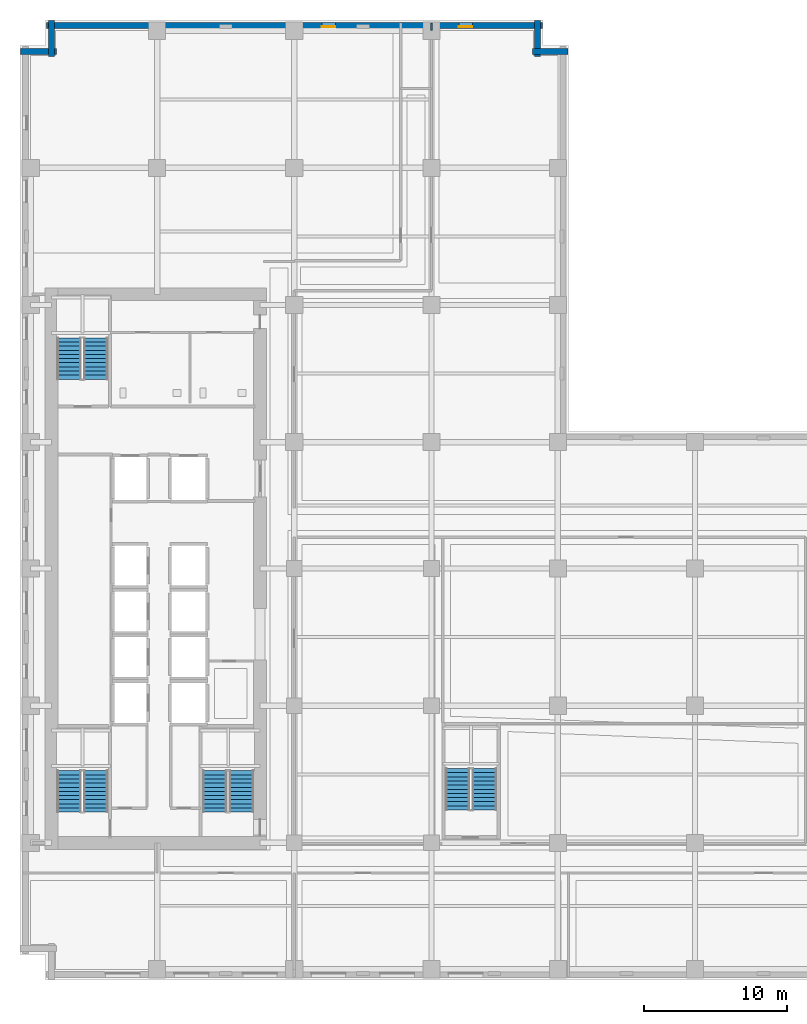
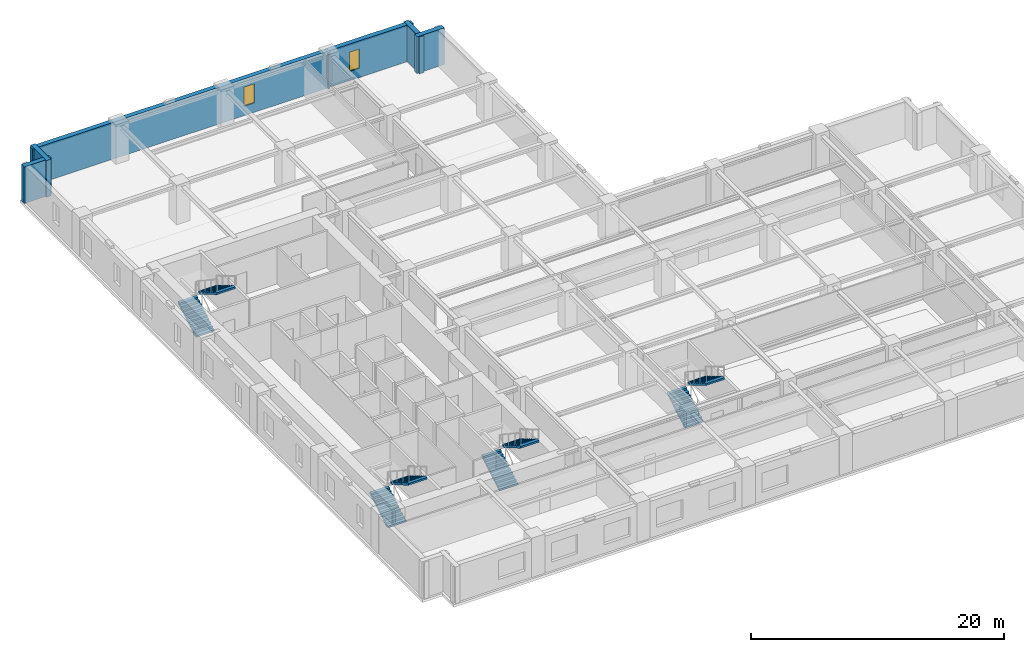
# One storey, part 8 of 13: 8 stair flights, 6 walls, 2 windows, 2 openings, 4 elements without a shape of their own.
"""IFC4 building model written with IfcOpenShell, lengths in metres."""

from ifc_helpers import new_model, si_unit, direction, frame, frame_2d, origin, place, context, subcontext, project, spatial, polyline, rectangle, outline, extrude, material, layer, layer_set, type_object, element, fill, aggregate, save


model = new_model("IFC4")

# Units and contexts
model_context = context("Model", 3, precision=1e-05, world=origin(), true_north=direction((0.0, 1.0)))
body_context = subcontext(model_context, "Body", "Model", "MODEL_VIEW")
ifc_project = project(units=[si_unit("LENGTHUNIT", "METRE"), si_unit("AREAUNIT", "SQUARE_METRE"), si_unit("VOLUMEUNIT", "CUBIC_METRE"), si_unit("PLANEANGLEUNIT", "RADIAN"), si_unit("MASSUNIT", "GRAM", prefix="KILO")], contexts=[model_context])

# Site, building, storey
site_placement = place(None, origin())
site = spatial("IfcSite", under=ifc_project, at=site_placement, CompositionType="ELEMENT")
building_placement = place(site_placement, origin())
building = spatial("IfcBuilding", under=site, at=building_placement, Name="Norrvale University Quadrangle", CompositionType="ELEMENT")
storey_placement = place(building_placement, frame((0.0, 0.0, 47.0)))
storey = spatial("IfcBuildingStorey", under=building, at=storey_placement, Name="L11", CompositionType="ELEMENT", Elevation=47.0)

# Walls
ifc_material_1 = material(Name="Buff Norman Clay Brick Masonry", Category="masonry")
ifc_layer_1 = layer(ifc_material_1, 0.419921875, Name="Buff Norman Clay Brick Masonry")
ifc_layer_set_1 = layer_set([ifc_layer_1], Name="Buff Norman Clay Brick Masonry")
wall_type_1 = type_object("IfcWallType", Name="Wall Buff Brick 420", PredefinedType="SOLIDWALL", material=ifc_layer_set_1)
for number, where, z_axis, x_axis, name in (
    (1, (38.360107421875, 65.010009765625, 0.0), (0.0, 0.0, 1.0), (-1.0, 0.0, 0.0), "Exterior Brick Facade Wall L11-09.1"),
    (2, (36.2099609375, 64.659912109375, 0.0), (0.0, 0.0, 1.0), (0.0, 1.0, 0.0), "Exterior Brick Facade Wall L11-10.1"),
):
    element("IfcWall", number, at=place(storey_placement, frame(where, z_axis=z_axis, x_axis=x_axis)), inside=storey, type_object=wall_type_1, Name=name, PredefinedType="SOLIDWALL", context=body_context, shape_type="SweptSolid", body=[
        extrude(rectangle(XDim=2.5, YDim=0.419921875, at=frame_2d((1.25, 0.0))), origin(), (0.0, 0.0, 1.0), 3.5400390625),
    ])

# Wall, openings, windows
wall_1_placement = place(storey_placement, frame((36.56005859375, 66.81005859375, 0.0), z_axis=(0.0, 0.0, 1.0), x_axis=(-1.0, 0.0, 0.0)))
wall_1 = element("IfcWall", 3, at=wall_1_placement, inside=storey, type_object=wall_type_1, Name="Exterior Brick Facade Wall L11-11.1", PredefinedType="SOLIDWALL", context=body_context, shape_type="SweptSolid", body=[
    extrude(rectangle(XDim=34.719970703125, YDim=0.419921875, at=frame_2d((17.35986328125, 0.0))), origin(), (0.0, 0.0, 1.0), 3.5400390625),
])
opening_1_placement = place(wall_1_placement, frame((4.885009765625, 0.0, 0.89990234375)))
opening_1 = element("IfcOpeningElement", 4, at=opening_1_placement, cuts=wall_1, Name="Opening W04", PredefinedType="OPENING", context=body_context, shape_type="SweptSolid", body=[
    extrude(rectangle(XDim=0.949951171875, YDim=1.85009765625, at=frame_2d((0.47509765625, 0.925048828125))), frame((0.0, 0.221923828125, 0.0), z_axis=(0.0, -1.0, 0.0), x_axis=(1.0, 0.0, 0.0)), (0.0, 0.0, 1.0), 0.44384765625),
])
opening_2_placement = place(wall_1_placement, frame((14.485107421875, 0.0, 0.89990234375)))
opening_2 = element("IfcOpeningElement", 5, at=opening_2_placement, cuts=wall_1, Name="Opening W04", PredefinedType="OPENING", context=body_context, shape_type="SweptSolid", body=[
    extrude(rectangle(XDim=0.949951171875, YDim=1.85009765625, at=frame_2d((0.47509765625, 0.925048828125))), frame((0.0, 0.221923828125, 0.0), z_axis=(0.0, -1.0, 0.0), x_axis=(1.0, 0.0, 0.0)), (0.0, 0.0, 1.0), 0.44384765625),
])
ifc_material_2 = material(Name="Triple Low-E Argon Glazing", Category="glass")
window_type = type_object("IfcWindowType", Name="Window Narrow Pier 950x2300", PartitioningType="SINGLE_PANEL", PredefinedType="WINDOW", material=ifc_material_2)
window_1_placement = place(opening_1_placement, origin())
window_1 = element("IfcWindow", 6, at=window_1_placement, inside=storey, type_object=window_type, Name="Window Narrow Pier 950x2300 WIN-L11-E11-1-01", OverallHeight=1.85009765625, OverallWidth=0.949951171875, PartitioningType="SINGLE_PANEL", PredefinedType="WINDOW", context=body_context, shape_type="SweptSolid", body=[
    extrude(rectangle(XDim=0.949951171875, YDim=1.85009765625, at=frame_2d((0.47509765625, 0.925048828125))), frame((0.0, 0.110107421875, 0.0), z_axis=(0.0, -1.0, 0.0), x_axis=(1.0, 0.0, 0.0)), (0.0, 0.0, 1.0), 0.06005859375),
])
fill(opening_1, window_1)
window_2_placement = place(opening_2_placement, origin())
window_2 = element("IfcWindow", 7, at=window_2_placement, inside=storey, type_object=window_type, Name="Window Narrow Pier 950x2300 WIN-L11-E11-1-02", OverallHeight=1.85009765625, OverallWidth=0.949951171875, PartitioningType="SINGLE_PANEL", PredefinedType="WINDOW", context=body_context, shape_type="SweptSolid", body=[
    extrude(rectangle(XDim=0.949951171875, YDim=1.85009765625, at=frame_2d((0.47509765625, 0.925048828125))), frame((0.0, 0.110107421875, 0.0), z_axis=(0.0, -1.0, 0.0), x_axis=(1.0, 0.0, 0.0)), (0.0, 0.0, 1.0), 0.06005859375),
])
fill(opening_2, window_2)

# Walls
for number, where, z_axis, x_axis, name in (
    (8, (2.18994140625, 67.159912109375, 0.0), (0.0, 0.0, 1.0), (0.0, -1.0, 0.0), "Exterior Brick Facade Wall L11-12.1"),
    (9, (2.5400390625, 65.010009765625, 0.0), (0.0, 0.0, 1.0), (-1.0, 0.0, 0.0), "Exterior Brick Facade Wall L11-13.1"),
):
    element("IfcWall", number, at=place(storey_placement, frame(where, z_axis=z_axis, x_axis=x_axis)), inside=storey, type_object=wall_type_1, Name=name, PredefinedType="SOLIDWALL", context=body_context, shape_type="SweptSolid", body=[
        extrude(rectangle(XDim=2.5, YDim=0.419921875, at=frame_2d((1.25, 0.0))), origin(), (0.0, 0.0, 1.0), 3.5400390625),
    ])
ifc_material_3 = material(Name="Fire-Rated Gypsum Stud Partition")
ifc_layer_2 = layer(ifc_material_3, 0.14990234375, Name="Fire-Rated Gypsum Stud Partition")
ifc_layer_set_2 = layer_set([ifc_layer_2], Name="Fire-Rated Gypsum Stud Partition")
wall_type_2 = type_object("IfcWallType", Name="Wall Gypsum Corridor 150", PredefinedType="PARTITIONING", material=ifc_layer_set_2)
wall_2_placement = place(storey_placement, frame((28.800048828125, 66.449951171875, 0.0), z_axis=(0.0, 0.0, 1.0), x_axis=(0.0, 1.0, 0.0)))
element("IfcWall", 10, at=wall_2_placement, inside=storey, type_object=wall_type_2, Name="Interior Partition WL-L11-NECW-B2", PredefinedType="PARTITIONING", context=body_context, shape_type="SweptSolid", body=[
    extrude(rectangle(XDim=0.530029296875, YDim=0.14990234375, at=frame_2d((0.26513671875, 0.0))), origin(), (0.0, 0.0, 1.0), 3.5400390625),
])

# Stair, stair flights
ifc_material_4 = material(Name="Concrete C40/50", Category="concrete")
stair_type = type_object("IfcStairType", Name="Stair Tower Typ 3800", PredefinedType="TWO_STRAIGHT_RUN_STAIR", material=ifc_material_4)
stair_1_placement = place(storey_placement, origin())
stair_1 = element("IfcStair", 11, at=stair_1_placement, inside=storey, type_object=stair_type, Name="Exit Stair ST-01 L11", PredefinedType="TWO_STRAIGHT_RUN_STAIR")
stair_flight_type = type_object("IfcStairFlightType", Name="Flight Typ 1500", PredefinedType="STRAIGHT", material=ifc_material_4)
stair_flight_1_placement = place(storey_placement, frame((3.429931640625, 11.75, 0.0), z_axis=(0.0, 0.0, 1.0), x_axis=(0.0, 1.0, 0.0)))
stair_flight_1 = element("IfcStairFlight", 12, at=stair_flight_1_placement, type_object=stair_flight_type, Name="Exit Stair ST-01 L11 Lower Flight", NumberOfRisers=11, NumberOfTreads=10, PredefinedType="STRAIGHT", RiserHeight=0.172727, TreadLength=0.29, context=body_context, shape_type="SweptSolid", body=[
    extrude(outline(polyline([(0.0, 0.0), (0.0, 0.172607421875), (0.2900390625, 0.172607421875), (0.2900390625, 0.345458984375), (0.580078125, 0.345458984375), (0.580078125, 0.51806640625), (0.8701171875, 0.51806640625), (0.8701171875, 0.69091796875), (1.159912109375, 0.69091796875), (1.159912109375, 0.863525390625), (1.449951171875, 0.863525390625), (1.449951171875, 1.036376953125), (1.739990234375, 1.036376953125), (1.739990234375, 1.208984375), (2.030029296875, 1.208984375), (2.030029296875, 1.3818359375), (2.320068359375, 1.3818359375), (2.320068359375, 1.554443359375), (2.610107421875, 1.554443359375), (2.610107421875, 1.727294921875), (2.89990234375, 1.727294921875), (2.89990234375, 1.89990234375), (2.89990234375, 1.552734375), (0.29296875, 0.0), (0.0, 0.0)])), frame((0.0, 0.83984375, 0.0), z_axis=(0.0, -1.0, 0.0), x_axis=(1.0, 0.0, 0.0)), (0.0, 0.0, 1.0), 1.679931640625),
])
stair_flight_2_placement = place(storey_placement, frame((5.320068359375, 14.64990234375, 1.89990234375), z_axis=(0.0, 0.0, 1.0), x_axis=(0.0, -1.0, 0.0)))
stair_flight_2 = element("IfcStairFlight", 13, at=stair_flight_2_placement, type_object=stair_flight_type, Name="Exit Stair ST-01 L11 Upper Flight", NumberOfRisers=11, NumberOfTreads=10, PredefinedType="STRAIGHT", RiserHeight=0.172727, TreadLength=0.29, context=body_context, shape_type="SweptSolid", body=[
    extrude(outline(polyline([(0.0, 0.0), (0.0, 0.172607421875), (0.2900390625, 0.172607421875), (0.2900390625, 0.345458984375), (0.580078125, 0.345458984375), (0.580078125, 0.51806640625), (0.8701171875, 0.51806640625), (0.8701171875, 0.69091796875), (1.159912109375, 0.69091796875), (1.159912109375, 0.863525390625), (1.449951171875, 0.863525390625), (1.449951171875, 1.036376953125), (1.739990234375, 1.036376953125), (1.739990234375, 1.208984375), (2.030029296875, 1.208984375), (2.030029296875, 1.3818359375), (2.320068359375, 1.3818359375), (2.320068359375, 1.554443359375), (2.610107421875, 1.554443359375), (2.610107421875, 1.727294921875), (2.89990234375, 1.727294921875), (2.89990234375, 1.89990234375), (2.89990234375, 1.552734375), (0.29296875, 0.0), (0.0, 0.0)])), frame((0.0, 0.83984375, 0.0), z_axis=(0.0, -1.0, 0.0), x_axis=(1.0, 0.0, 0.0)), (0.0, 0.0, 1.0), 1.679931640625),
])
aggregate(stair_1, [stair_flight_1, stair_flight_2])

stair_2_placement = place(storey_placement, origin())
stair_2 = element("IfcStair", 14, at=stair_2_placement, inside=storey, type_object=stair_type, Name="Exit Stair ST-02 L11", PredefinedType="TWO_STRAIGHT_RUN_STAIR")
stair_flight_3_placement = place(storey_placement, frame((3.429931640625, 42.050048828125, 0.0), z_axis=(0.0, 0.0, 1.0), x_axis=(0.0, 1.0, 0.0)))
stair_flight_3 = element("IfcStairFlight", 15, at=stair_flight_3_placement, type_object=stair_flight_type, Name="Exit Stair ST-02 L11 Lower Flight", NumberOfRisers=11, NumberOfTreads=10, PredefinedType="STRAIGHT", RiserHeight=0.172727, TreadLength=0.29, context=body_context, shape_type="SweptSolid", body=[
    extrude(outline(polyline([(0.0, 0.0), (0.0, 0.172607421875), (0.2900390625, 0.172607421875), (0.2900390625, 0.345458984375), (0.580078125, 0.345458984375), (0.580078125, 0.51806640625), (0.8701171875, 0.51806640625), (0.8701171875, 0.69091796875), (1.159912109375, 0.69091796875), (1.159912109375, 0.863525390625), (1.449951171875, 0.863525390625), (1.449951171875, 1.036376953125), (1.739990234375, 1.036376953125), (1.739990234375, 1.208984375), (2.030029296875, 1.208984375), (2.030029296875, 1.3818359375), (2.320068359375, 1.3818359375), (2.320068359375, 1.554443359375), (2.610107421875, 1.554443359375), (2.610107421875, 1.727294921875), (2.89990234375, 1.727294921875), (2.89990234375, 1.89990234375), (2.89990234375, 1.552734375), (0.29296875, 0.0), (0.0, 0.0)])), frame((0.0, 0.83984375, 0.0), z_axis=(0.0, -1.0, 0.0), x_axis=(1.0, 0.0, 0.0)), (0.0, 0.0, 1.0), 1.679931640625),
])
stair_flight_4_placement = place(storey_placement, frame((5.320068359375, 44.949951171875, 1.89990234375), z_axis=(0.0, 0.0, 1.0), x_axis=(0.0, -1.0, 0.0)))
stair_flight_4 = element("IfcStairFlight", 16, at=stair_flight_4_placement, type_object=stair_flight_type, Name="Exit Stair ST-02 L11 Upper Flight", NumberOfRisers=11, NumberOfTreads=10, PredefinedType="STRAIGHT", RiserHeight=0.172727, TreadLength=0.29, context=body_context, shape_type="SweptSolid", body=[
    extrude(outline(polyline([(0.0, 0.0), (0.0, 0.172607421875), (0.2900390625, 0.172607421875), (0.2900390625, 0.345458984375), (0.580078125, 0.345458984375), (0.580078125, 0.51806640625), (0.8701171875, 0.51806640625), (0.8701171875, 0.69091796875), (1.159912109375, 0.69091796875), (1.159912109375, 0.863525390625), (1.449951171875, 0.863525390625), (1.449951171875, 1.036376953125), (1.739990234375, 1.036376953125), (1.739990234375, 1.208984375), (2.030029296875, 1.208984375), (2.030029296875, 1.3818359375), (2.320068359375, 1.3818359375), (2.320068359375, 1.554443359375), (2.610107421875, 1.554443359375), (2.610107421875, 1.727294921875), (2.89990234375, 1.727294921875), (2.89990234375, 1.89990234375), (2.89990234375, 1.552734375), (0.29296875, 0.0), (0.0, 0.0)])), frame((0.0, 0.83984375, 0.0), z_axis=(0.0, -1.0, 0.0), x_axis=(1.0, 0.0, 0.0)), (0.0, 0.0, 1.0), 1.679931640625),
])
aggregate(stair_2, [stair_flight_3, stair_flight_4])

stair_3_placement = place(storey_placement, origin())
stair_3 = element("IfcStair", 17, at=stair_3_placement, inside=storey, type_object=stair_type, Name="Exit Stair ST-03 L11", PredefinedType="TWO_STRAIGHT_RUN_STAIR")
stair_flight_5_placement = place(storey_placement, frame((13.6298828125, 11.75, 0.0), z_axis=(0.0, 0.0, 1.0), x_axis=(0.0, 1.0, 0.0)))
stair_flight_5 = element("IfcStairFlight", 18, at=stair_flight_5_placement, type_object=stair_flight_type, Name="Exit Stair ST-03 L11 Lower Flight", NumberOfRisers=11, NumberOfTreads=10, PredefinedType="STRAIGHT", RiserHeight=0.172727, TreadLength=0.29, context=body_context, shape_type="SweptSolid", body=[
    extrude(outline(polyline([(0.0, 0.0), (0.0, 0.172607421875), (0.2900390625, 0.172607421875), (0.2900390625, 0.345458984375), (0.580078125, 0.345458984375), (0.580078125, 0.51806640625), (0.8701171875, 0.51806640625), (0.8701171875, 0.69091796875), (1.159912109375, 0.69091796875), (1.159912109375, 0.863525390625), (1.449951171875, 0.863525390625), (1.449951171875, 1.036376953125), (1.739990234375, 1.036376953125), (1.739990234375, 1.208984375), (2.030029296875, 1.208984375), (2.030029296875, 1.3818359375), (2.320068359375, 1.3818359375), (2.320068359375, 1.554443359375), (2.610107421875, 1.554443359375), (2.610107421875, 1.727294921875), (2.89990234375, 1.727294921875), (2.89990234375, 1.89990234375), (2.89990234375, 1.552734375), (0.29296875, 0.0), (0.0, 0.0)])), frame((0.0, 0.83984375, 0.0), z_axis=(0.0, -1.0, 0.0), x_axis=(1.0, 0.0, 0.0)), (0.0, 0.0, 1.0), 1.679931640625),
])
stair_flight_6_placement = place(storey_placement, frame((15.52001953125, 14.64990234375, 1.89990234375), z_axis=(0.0, 0.0, 1.0), x_axis=(0.0, -1.0, 0.0)))
stair_flight_6 = element("IfcStairFlight", 19, at=stair_flight_6_placement, type_object=stair_flight_type, Name="Exit Stair ST-03 L11 Upper Flight", NumberOfRisers=11, NumberOfTreads=10, PredefinedType="STRAIGHT", RiserHeight=0.172727, TreadLength=0.29, context=body_context, shape_type="SweptSolid", body=[
    extrude(outline(polyline([(0.0, 0.0), (0.0, 0.172607421875), (0.2900390625, 0.172607421875), (0.2900390625, 0.345458984375), (0.580078125, 0.345458984375), (0.580078125, 0.51806640625), (0.8701171875, 0.51806640625), (0.8701171875, 0.69091796875), (1.159912109375, 0.69091796875), (1.159912109375, 0.863525390625), (1.449951171875, 0.863525390625), (1.449951171875, 1.036376953125), (1.739990234375, 1.036376953125), (1.739990234375, 1.208984375), (2.030029296875, 1.208984375), (2.030029296875, 1.3818359375), (2.320068359375, 1.3818359375), (2.320068359375, 1.554443359375), (2.610107421875, 1.554443359375), (2.610107421875, 1.727294921875), (2.89990234375, 1.727294921875), (2.89990234375, 1.89990234375), (2.89990234375, 1.552734375), (0.29296875, 0.0), (0.0, 0.0)])), frame((0.0, 0.83984375, 0.0), z_axis=(0.0, -1.0, 0.0), x_axis=(1.0, 0.0, 0.0)), (0.0, 0.0, 1.0), 1.679931640625),
])
aggregate(stair_3, [stair_flight_5, stair_flight_6])

stair_4_placement = place(storey_placement, origin())
stair_4 = element("IfcStair", 20, at=stair_4_placement, inside=storey, type_object=stair_type, Name="Exit Stair ST-04 L11", PredefinedType="TWO_STRAIGHT_RUN_STAIR")
stair_flight_7_placement = place(storey_placement, frame((30.6298828125, 11.89990234375, 0.0), z_axis=(0.0, 0.0, 1.0), x_axis=(0.0, 1.0, 0.0)))
stair_flight_7 = element("IfcStairFlight", 21, at=stair_flight_7_placement, type_object=stair_flight_type, Name="Exit Stair ST-04 L11 Lower Flight", NumberOfRisers=11, NumberOfTreads=10, PredefinedType="STRAIGHT", RiserHeight=0.172727, TreadLength=0.29, context=body_context, shape_type="SweptSolid", body=[
    extrude(outline(polyline([(0.0, 0.0), (0.0, 0.172607421875), (0.2900390625, 0.172607421875), (0.2900390625, 0.345458984375), (0.580078125, 0.345458984375), (0.580078125, 0.51806640625), (0.8701171875, 0.51806640625), (0.8701171875, 0.69091796875), (1.159912109375, 0.69091796875), (1.159912109375, 0.863525390625), (1.449951171875, 0.863525390625), (1.449951171875, 1.036376953125), (1.739990234375, 1.036376953125), (1.739990234375, 1.208984375), (2.030029296875, 1.208984375), (2.030029296875, 1.3818359375), (2.320068359375, 1.3818359375), (2.320068359375, 1.554443359375), (2.610107421875, 1.554443359375), (2.610107421875, 1.727294921875), (2.89990234375, 1.727294921875), (2.89990234375, 1.89990234375), (2.89990234375, 1.552734375), (0.29296875, 0.0), (0.0, 0.0)])), frame((0.0, 0.83984375, 0.0), z_axis=(0.0, -1.0, 0.0), x_axis=(1.0, 0.0, 0.0)), (0.0, 0.0, 1.0), 1.679931640625),
])
stair_flight_8_placement = place(storey_placement, frame((32.52001953125, 14.800048828125, 1.89990234375), z_axis=(0.0, 0.0, 1.0), x_axis=(0.0, -1.0, 0.0)))
stair_flight_8 = element("IfcStairFlight", 22, at=stair_flight_8_placement, type_object=stair_flight_type, Name="Exit Stair ST-04 L11 Upper Flight", NumberOfRisers=11, NumberOfTreads=10, PredefinedType="STRAIGHT", RiserHeight=0.172727, TreadLength=0.29, context=body_context, shape_type="SweptSolid", body=[
    extrude(outline(polyline([(0.0, 0.0), (0.0, 0.172607421875), (0.2900390625, 0.172607421875), (0.2900390625, 0.345458984375), (0.580078125, 0.345458984375), (0.580078125, 0.51806640625), (0.8701171875, 0.51806640625), (0.8701171875, 0.69091796875), (1.159912109375, 0.69091796875), (1.159912109375, 0.863525390625), (1.449951171875, 0.863525390625), (1.449951171875, 1.036376953125), (1.739990234375, 1.036376953125), (1.739990234375, 1.208984375), (2.030029296875, 1.208984375), (2.030029296875, 1.3818359375), (2.320068359375, 1.3818359375), (2.320068359375, 1.554443359375), (2.610107421875, 1.554443359375), (2.610107421875, 1.727294921875), (2.89990234375, 1.727294921875), (2.89990234375, 1.89990234375), (2.89990234375, 1.552734375), (0.29296875, 0.0), (0.0, 0.0)])), frame((0.0, 0.83984375, 0.0), z_axis=(0.0, -1.0, 0.0), x_axis=(1.0, 0.0, 0.0)), (0.0, 0.0, 1.0), 1.679931640625),
])
aggregate(stair_4, [stair_flight_7, stair_flight_8])

save(model, "model.ifc")
